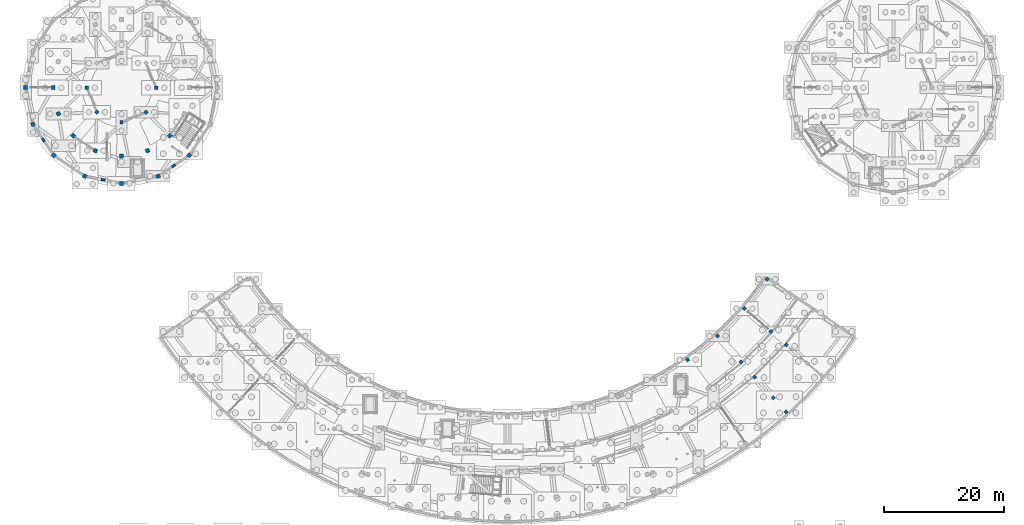
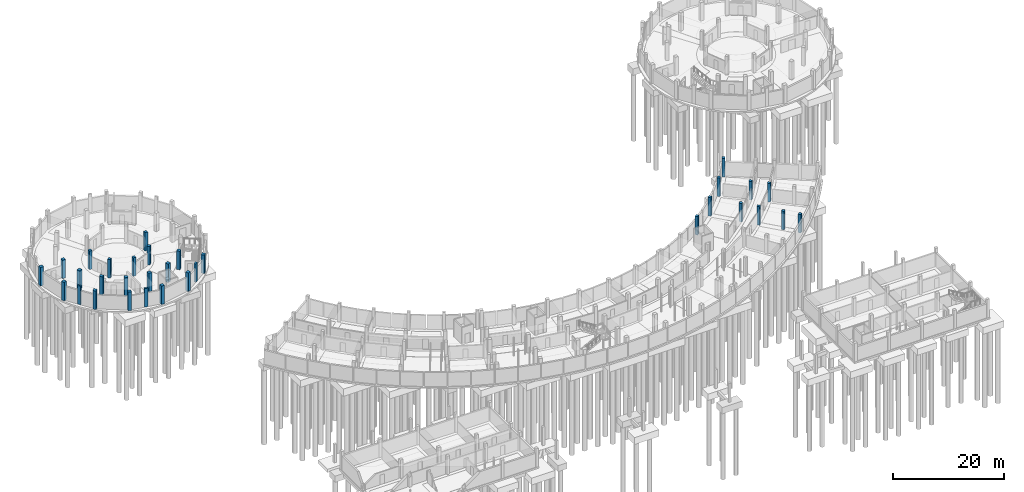
# One storey, part 22 of 58: 32 columns.
"""IFC4 building model written with IfcOpenShell, lengths in metres."""

from ifc_helpers import new_model, si_unit, direction, frame, origin, origin_2d, place, context, subcontext, project, spatial, rectangle, extrude, material, material_profile, profile_set, type_object, element, save


model = new_model("IFC4")

# Units and contexts
model_context = context("Model", 3, precision=1e-05, world=origin(), true_north=direction((0.0, 1.0)))
body_context = subcontext(model_context, "Body", "Model", "MODEL_VIEW")
ifc_project = project(units=[si_unit("LENGTHUNIT", "METRE"), si_unit("AREAUNIT", "SQUARE_METRE"), si_unit("VOLUMEUNIT", "CUBIC_METRE"), si_unit("PLANEANGLEUNIT", "RADIAN"), si_unit("MASSUNIT", "GRAM", prefix="KILO")], contexts=[model_context])

# Site, building, storey
site_placement = place(None, origin())
site = spatial("IfcSite", under=ifc_project, at=site_placement, CompositionType="ELEMENT")
building_placement = place(site_placement, origin())
building = spatial("IfcBuilding", under=site, at=building_placement, Name="Caldaven Crescent School", CompositionType="ELEMENT")
storey_placement = place(building_placement, frame((0.0, 0.0, -4.080078125)))
storey = spatial("IfcBuildingStorey", under=building, at=storey_placement, Name="B1", CompositionType="ELEMENT", Elevation=-4.080078125)

# Columns
ifc_material_1 = material(Name="Concrete C35/45", Category="concrete")
ifc_material_profile_1 = material_profile(ifc_material_1, rectangle(XDim=0.550048828125, YDim=0.550048828125, at=origin_2d()), Name="RC 550x550")
ifc_profile_set_1 = profile_set([ifc_material_profile_1], Name="Concrete C35/45")
column_type_1 = type_object("IfcColumnType", Name="COL-RC55", PredefinedType="COLUMN", material=ifc_profile_set_1)
for number, where, z_axis, x_axis, name in (
    (1, (29.300048828125, 98.5, 0.0), (0.0, 0.0, 1.0), (1.0, 0.0, 0.0), "COL-V2-B1-IN-00"),
    (2, (17.699951171875, 98.5, 0.0), (0.0, 0.0, 1.0), (-1.0, 0.0, 0.0), "COL-V2-B1-IN-08"),
    (3, (19.398681640625, 94.398681640625, 0.0), (0.0, 0.0, 1.0), (-0.707106781187, -0.707106781187, 0.0), "COL-V2-B1-IN-10"),
    (4, (23.5, 92.699951171875, 0.0), (0.0, 0.0, 1.0), (0.0, -1.0, 0.0), "COL-V2-B1-IN-12"),
    (5, (27.601318359375, 94.398681640625, 0.0), (0.0, 0.0, 1.0), (0.707106781187, -0.707106781187, 0.0), "COL-V2-B1-IN-14"),
    (6, (118.083984375, 53.035400390625, 0.0), (0.0, 0.0, 1.0), (0.573576436351, -0.819152044289, 0.0), "COL-V4E-B1-02-0"),
    (7, (123.095947265625, 57.02197265625, 0.0), (0.0, 0.0, 1.0), (0.669130606359, -0.743144825477, 0.0), "COL-V4E-B1-03-0"),
    (8, (127.01025390625, 52.674560546875, 0.0), (0.0, 0.0, 1.0), (0.669130606359, -0.743144825477, 0.0), "COL-V4E-B1-03-1"),
    (9, (129.285400390625, 50.14794921875, 0.0), (0.0, 0.0, 1.0), (0.669130606359, -0.743144825477, 0.0), "COL-V4E-B1-03-2"),
    (10, (132.396728515625, 46.6923828125, 0.0), (0.0, 0.0, 1.0), (0.669130606359, -0.743144825477, 0.0), "COL-V4E-B1-03-3"),
    (11, (134.5380859375, 44.314208984375, 0.0), (0.0, 0.0, 1.0), (0.669130606359, -0.743144825477, 0.0), "COL-V4E-B1-03-4"),
    (12, (127.58447265625, 61.589599609375, 0.0), (0.0, 0.0, 1.0), (0.754709580223, -0.656059028991, 0.0), "COL-V4E-B1-04-0"),
    (13, (131.99951171875, 57.751708984375, 0.0), (0.0, 0.0, 1.0), (0.754709580223, -0.656059028991, 0.0), "COL-V4E-B1-04-1"),
    (14, (134.565673828125, 55.521240234375, 0.0), (0.0, 0.0, 1.0), (0.754709580223, -0.656059028991, 0.0), "COL-V4E-B1-04-2"),
    (15, (131.362548828125, 66.492431640625, 0.0), (0.0, 0.0, 1.0), (0.826786154745, -0.562516359159, 0.0), "COL-V4E-B1-05-0"),
):
    element("IfcColumn", number, at=place(storey_placement, frame(where, z_axis=z_axis, x_axis=x_axis)), inside=storey, type_object=column_type_1, Name=name, PredefinedType="COLUMN", context=body_context, shape_type="SweptSolid", body=[
        extrude(rectangle(XDim=0.550048828125, YDim=0.550048828125, at=origin_2d()), origin(), (0.0, 0.0, 1.0), 4.080078125),
    ])
ifc_material_profile_2 = material_profile(ifc_material_1, rectangle(XDim=0.64990234375, YDim=0.64990234375, at=origin_2d()), Name="RC 650x650")
ifc_profile_set_2 = profile_set([ifc_material_profile_2], Name="Concrete C35/45")
column_type_2 = type_object("IfcColumnType", Name="COL-RC65", PredefinedType="COLUMN", material=ifc_profile_set_2)
for number, where, z_axis, x_axis, name in (
    (16, (12.10009765625, 98.5, 0.0), (0.0, 0.0, 1.0), (-1.0, 0.0, 0.0), "COL-V2-B1-GAL-08"),
    (17, (7.5, 98.5, 0.0), (0.0, 0.0, 1.0), (-1.0, 0.0, 0.0), "COL-V2-B1-OUT-08"),
    (18, (12.9677734375, 94.137451171875, 0.0), (0.0, 0.0, 1.0), (-0.923879532511, -0.382683432365, 0.0), "COL-V2-B1-GAL-09"),
    (19, (8.718017578125, 92.376953125, 0.0), (0.0, 0.0, 1.0), (-0.923879532511, -0.382683432365, 0.0), "COL-V2-B1-OUT-09"),
    (20, (15.43896484375, 90.43896484375, 0.0), (0.0, 0.0, 1.0), (-0.707106781187, -0.707106781187, 0.0), "COL-V2-B1-GAL-10"),
    (21, (12.186279296875, 87.186279296875, 0.0), (0.0, 0.0, 1.0), (-0.707106781187, -0.707106781187, 0.0), "COL-V2-B1-OUT-10"),
    (22, (19.137451171875, 87.9677734375, 0.0), (0.0, 0.0, 1.0), (-0.382683432365, -0.923879532511, 0.0), "COL-V2-B1-GAL-11"),
    (23, (17.376953125, 83.718017578125, 0.0), (0.0, 0.0, 1.0), (-0.382683432365, -0.923879532511, 0.0), "COL-V2-B1-OUT-11"),
    (24, (23.5, 87.10009765625, 0.0), (0.0, 0.0, 1.0), (0.0, -1.0, 0.0), "COL-V2-B1-GAL-12"),
    (25, (23.5, 82.5, 0.0), (0.0, 0.0, 1.0), (0.0, -1.0, 0.0), "COL-V2-B1-OUT-12"),
    (26, (27.862548828125, 87.9677734375, 0.0), (0.0, 0.0, 1.0), (0.382683432365, -0.923879532511, 0.0), "COL-V2-B1-GAL-13"),
    (27, (29.623046875, 83.718017578125, 0.0), (0.0, 0.0, 1.0), (0.382683432365, -0.923879532511, 0.0), "COL-V2-B1-OUT-13"),
    (28, (31.56103515625, 90.43896484375, 0.0), (0.0, 0.0, 1.0), (0.707106781187, -0.707106781187, 0.0), "COL-V2-B1-GAL-14"),
    (29, (34.813720703125, 87.186279296875, 0.0), (0.0, 0.0, 1.0), (0.707106781187, -0.707106781187, 0.0), "COL-V2-B1-OUT-14"),
):
    element("IfcColumn", number, at=place(storey_placement, frame(where, z_axis=z_axis, x_axis=x_axis)), inside=storey, type_object=column_type_2, Name=name, PredefinedType="COLUMN", context=body_context, shape_type="SweptSolid", body=[
        extrude(rectangle(XDim=0.64990234375, YDim=0.64990234375, at=origin_2d()), origin(), (0.0, 0.0, 1.0), 4.080078125),
    ])
ifc_material_2 = material(Name="Concrete C30/37", Category="concrete")
ifc_material_profile_3 = material_profile(ifc_material_2, rectangle(XDim=0.35009765625, YDim=0.64990234375, at=origin_2d()), Name="RC 350x650")
ifc_profile_set_3 = profile_set([ifc_material_profile_3], Name="Concrete C30/37")
column_type_3 = type_object("IfcColumnType", Name="PIL-RC35", PredefinedType="PILASTER", material=ifc_profile_set_3)
for number, where, z_axis, x_axis, name in (
    (30, (10.4521484375, 89.78173828125, 0.0), (0.0, 0.0, 1.0), (-0.831469612303, -0.55557023302, 0.0), "PIL-V2-B1-04"),
    (31, (20.4384765625, 83.10888671875, 0.0), (0.0, 0.0, 1.0), (-0.195090322016, -0.980785280403, 0.0), "PIL-V2-B1-05"),
    (32, (32.21826171875, 85.4521484375, 0.0), (0.0, 0.0, 1.0), (0.55557023302, -0.831469612303, 0.0), "PIL-V2-B1-06"),
):
    element("IfcColumn", number, at=place(storey_placement, frame(where, z_axis=z_axis, x_axis=x_axis)), inside=storey, type_object=column_type_3, Name=name, PredefinedType="PILASTER", context=body_context, shape_type="SweptSolid", body=[
        extrude(rectangle(XDim=0.35009765625, YDim=0.64990234375, at=origin_2d()), origin(), (0.0, 0.0, 1.0), 4.080078125),
    ])

save(model, "model.ifc")
